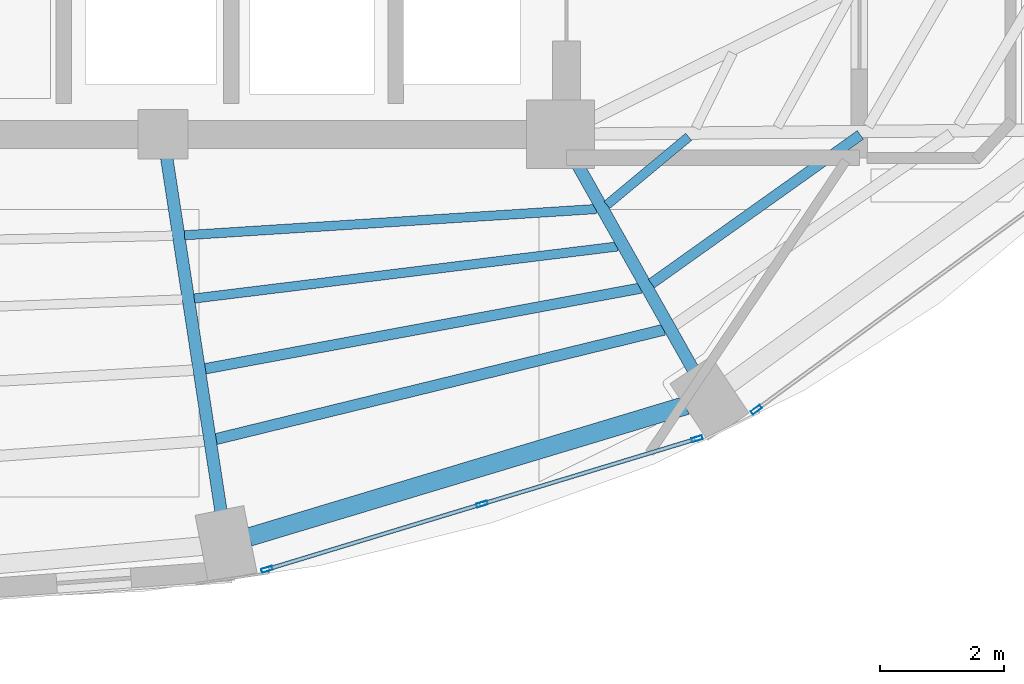
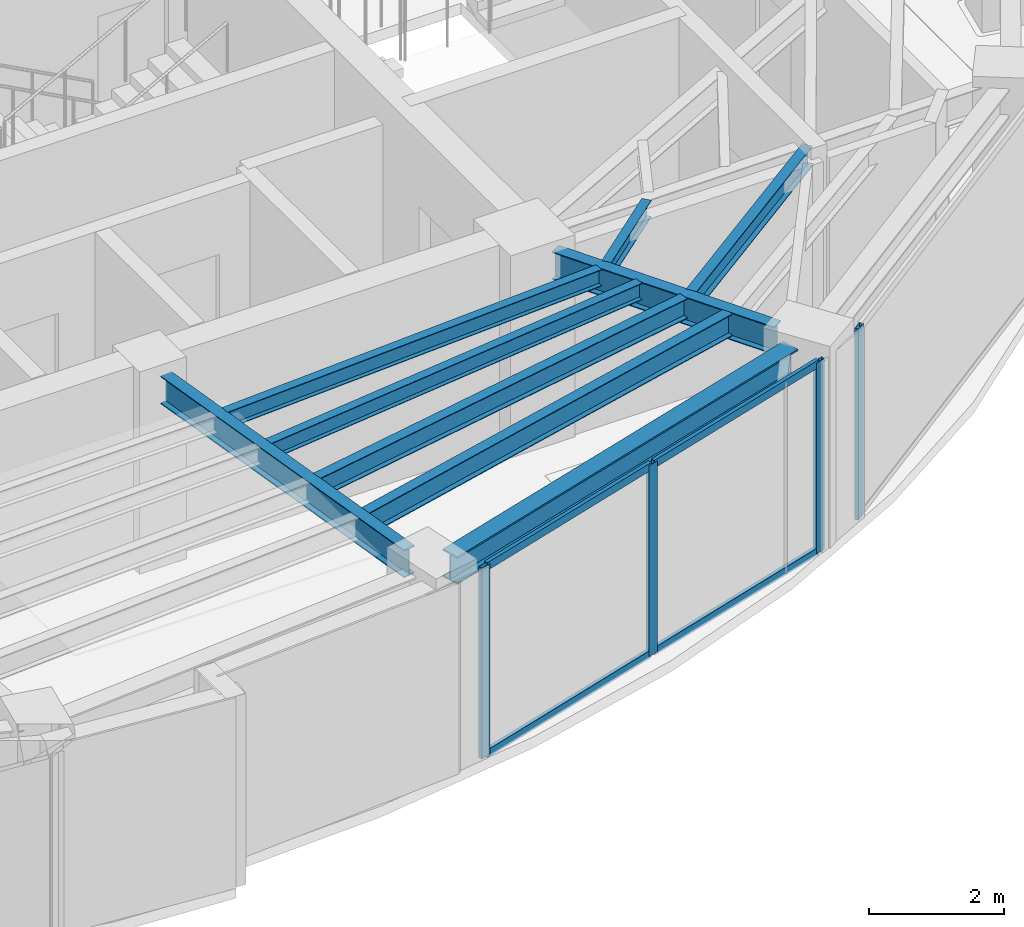
# One storey, part 2 of 12: 9 beams, 8 members, 2 elements without a shape of their own.
"""IFC4 building model written with IfcOpenShell, lengths in metres."""

from ifc_helpers import new_model, si_unit, direction, frame, origin, origin_2d, place, context, subcontext, project, spatial, hollow_rectangle, i_section, extrude, material, layer, layer_set, material_profile, profile_set, type_object, element, aggregate, save


model = new_model("IFC4")

# Units and contexts
model_context = context("Model", 3, precision=1e-05, world=origin(), true_north=direction((0.0, 1.0)))
body_context = subcontext(model_context, "Body", "Model", "MODEL_VIEW")
ifc_project = project(units=[si_unit("LENGTHUNIT", "METRE"), si_unit("AREAUNIT", "SQUARE_METRE"), si_unit("VOLUMEUNIT", "CUBIC_METRE"), si_unit("PLANEANGLEUNIT", "RADIAN"), si_unit("MASSUNIT", "GRAM", prefix="KILO")], contexts=[model_context])

# Site, building, storey
site_placement = place(None, origin())
site = spatial("IfcSite", under=ifc_project, at=site_placement, CompositionType="ELEMENT")
building_placement = place(site_placement, origin())
building = spatial("IfcBuilding", under=site, at=building_placement, Name="Lazwardi Medical Tower", CompositionType="ELEMENT")
storey_placement = place(building_placement, frame((0.0, 0.0, 291.50390625)))
storey = spatial("IfcBuildingStorey", under=building, at=storey_placement, Name="L76", CompositionType="ELEMENT", Elevation=291.50390625)

# Beams
ifc_material_1 = material(Name="Steel S355", Category="steel")
ifc_material_profile_1 = material_profile(ifc_material_1, i_section(OverallWidth=0.300048828125, OverallDepth=0.5, WebThickness=0.014404296875, FlangeThickness=0.028076171875, at=origin_2d()), Name="HEB 500")
ifc_profile_set_1 = profile_set([ifc_material_profile_1], Name="Steel S355")
beam_type_1 = type_object("IfcBeamType", Name="BM-RB-Z4", PredefinedType="BEAM", material=ifc_profile_set_1)
beam_1_placement = place(storey_placement, frame((40.58740234375, 13.9140625, 3.197998046875), z_axis=(0.957544311906, 0.288286126506, 0.0), x_axis=(-0.288286126506, 0.957544311906, 0.0)))
element("IfcBeam", 1, at=beam_1_placement, inside=storey, type_object=beam_type_1, Name="Ring beam RB-05 B01 L76", PredefinedType="BEAM", context=body_context, shape_type="SweptSolid", body=[
    extrude(i_section(OverallWidth=0.300048828125, OverallDepth=0.5, WebThickness=0.014404296875, FlangeThickness=0.028076171875, at=origin_2d()), origin(), (0.0, 0.0, 1.0), 7.3515625),
])
ifc_material_profile_2 = material_profile(ifc_material_1, i_section(OverallWidth=0.199951171875, OverallDepth=0.5, WebThickness=0.01025390625, FlangeThickness=0.01611328125, at=origin_2d()), Name="IPE 500")
ifc_profile_set_2 = profile_set([ifc_material_profile_2], Name="Steel S355")
beam_type_2 = type_object("IfcBeamType", Name="BM-RG-W3", PredefinedType="BEAM", material=ifc_profile_set_2)
beam_2_placement = place(storey_placement, frame((40.1328125, 14.33056640625, 3.197998046875), z_axis=(-0.151894625259, 0.988396693043, 0.0), x_axis=(-0.988396693043, -0.151894625259, 0.0)))
element("IfcBeam", 2, at=beam_2_placement, inside=storey, type_object=beam_type_2, Name="Radial girder RG-04 R01 L76", PredefinedType="BEAM", context=body_context, shape_type="SweptSolid", body=[
    extrude(i_section(OverallWidth=0.199951171875, OverallDepth=0.5, WebThickness=0.01025390625, FlangeThickness=0.01611328125, at=origin_2d()), origin(), (0.0, 0.0, 1.0), 5.755859375),
])
beam_3_placement = place(storey_placement, frame((47.7373046875, 16.61181640625, 3.197998046875), z_axis=(-0.491403349237, 0.870932114667, 0.0), x_axis=(-0.870932114667, -0.491403349237, 0.0)))
element("IfcBeam", 3, at=beam_3_placement, inside=storey, type_object=beam_type_2, Name="Radial girder RG-04 R02 L76", PredefinedType="BEAM", context=body_context, shape_type="SweptSolid", body=[
    extrude(i_section(OverallWidth=0.199951171875, OverallDepth=0.5, WebThickness=0.01025390625, FlangeThickness=0.01611328125, at=origin_2d()), origin(), (0.0, 0.0, 1.0), 3.814697265625),
])
ifc_material_profile_3 = material_profile(ifc_material_1, i_section(OverallWidth=0.179931640625, OverallDepth=0.39990234375, WebThickness=0.008544921875, FlangeThickness=0.013427734375, at=origin_2d()), Name="IPE 400")
ifc_profile_set_3 = profile_set([ifc_material_profile_3], Name="Steel S355")
beam_type_3 = type_object("IfcBeamType", Name="BM-SJ-01", PredefinedType="JOIST", material=ifc_profile_set_3)
beam_4_placement = place(storey_placement, frame((40.050048828125, 15.49072265625, 3.248046875), z_axis=(0.971461103721, 0.237198912219, 0.0), x_axis=(-0.237198912219, 0.971461103721, 0.0)))
element("IfcBeam", 4, at=beam_4_placement, inside=storey, type_object=beam_type_3, Name="Secondary joist SJ-01 R1 B01 L76", PredefinedType="JOIST", context=body_context, shape_type="SweptSolid", body=[
    extrude(i_section(OverallWidth=0.179931640625, OverallDepth=0.39990234375, WebThickness=0.008544921875, FlangeThickness=0.013427734375, at=origin_2d()), origin(), (0.0, 0.0, 1.0), 7.432373046875),
])
ifc_material_profile_4 = material_profile(ifc_material_1, i_section(OverallWidth=0.169921875, OverallDepth=0.360107421875, WebThickness=0.008056640625, FlangeThickness=0.0126953125, at=origin_2d()), Name="IPE 360")
ifc_profile_set_4 = profile_set([ifc_material_profile_4], Name="Steel S355")
beam_type_4 = type_object("IfcBeamType", Name="BM-SJ-02", PredefinedType="JOIST", material=ifc_profile_set_4)
beam_5_placement = place(storey_placement, frame((39.87646484375, 16.623291015625, 3.26806640625), z_axis=(0.983270661344, 0.182150505189, 0.0), x_axis=(-0.182150505189, 0.983270661344, 0.0)))
element("IfcBeam", 5, at=beam_5_placement, inside=storey, type_object=beam_type_4, Name="Secondary joist SJ-02 R2 B01 L76", PredefinedType="JOIST", context=body_context, shape_type="SweptSolid", body=[
    extrude(i_section(OverallWidth=0.169921875, OverallDepth=0.360107421875, WebThickness=0.008056640625, FlangeThickness=0.0126953125, at=origin_2d()), origin(), (0.0, 0.0, 1.0), 7.13720703125),
])
beam_6_placement = place(storey_placement, frame((47.06494140625, 17.995849609375, 3.26806640625), z_axis=(0.814885852348, 0.579621469274, 0.0), x_axis=(-0.579621469274, 0.814885852348, 0.0)))
element("IfcBeam", 6, at=beam_6_placement, inside=storey, type_object=beam_type_4, Name="Secondary joist SJ-02 R2 B02 L76", PredefinedType="JOIST", context=body_context, shape_type="SweptSolid", body=[
    extrude(i_section(OverallWidth=0.169921875, OverallDepth=0.360107421875, WebThickness=0.008056640625, FlangeThickness=0.0126953125, at=origin_2d()), origin(), (0.0, 0.0, 1.0), 4.131103515625),
])
ifc_material_profile_5 = material_profile(ifc_material_1, i_section(OverallWidth=0.14990234375, OverallDepth=0.300048828125, WebThickness=0.007080078125, FlangeThickness=0.0107421875, at=origin_2d()), Name="IPE 300")
ifc_profile_set_5 = profile_set([ifc_material_profile_5], Name="Steel S355")
beam_type_5 = type_object("IfcBeamType", Name="BM-SJ-03", PredefinedType="JOIST", material=ifc_profile_set_5)
beam_7_placement = place(storey_placement, frame((39.702392578125, 17.755615234375, 3.298095703125), z_axis=(0.992528507109, 0.122012960685, 0.0), x_axis=(-0.122012960685, 0.992528507109, 0.0)))
element("IfcBeam", 7, at=beam_7_placement, inside=storey, type_object=beam_type_5, Name="Secondary joist SJ-03 R3 B01 L76", PredefinedType="JOIST", context=body_context, shape_type="SweptSolid", body=[
    extrude(i_section(OverallWidth=0.14990234375, OverallDepth=0.300048828125, WebThickness=0.007080078125, FlangeThickness=0.0107421875, at=origin_2d()), origin(), (0.0, 0.0, 1.0), 6.8671875),
])
beam_8_placement = place(storey_placement, frame((39.545654296875, 18.77392578125, 3.298095703125), z_axis=(0.997972905644, 0.063640235704, 0.0), x_axis=(-0.063640235704, 0.997972905644, 0.0)))
element("IfcBeam", 8, at=beam_8_placement, inside=storey, type_object=beam_type_5, Name="Secondary joist SJ-03 R4 B01 L76", PredefinedType="JOIST", context=body_context, shape_type="SweptSolid", body=[
    extrude(i_section(OverallWidth=0.14990234375, OverallDepth=0.300048828125, WebThickness=0.007080078125, FlangeThickness=0.0107421875, at=origin_2d()), origin(), (0.0, 0.0, 1.0), 6.648193359375),
])
beam_9_placement = place(storey_placement, frame((46.348388671875, 19.263916015625, 3.298095703125), z_axis=(0.768968334056, 0.639286869269, 0.0), x_axis=(-0.639286869269, 0.768968334056, 0.0)))
element("IfcBeam", 9, at=beam_9_placement, inside=storey, type_object=beam_type_5, Name="Secondary joist SJ-03 R4 B02 L76", PredefinedType="JOIST", context=body_context, shape_type="SweptSolid", body=[
    extrude(i_section(OverallWidth=0.14990234375, OverallDepth=0.300048828125, WebThickness=0.007080078125, FlangeThickness=0.0107421875, at=origin_2d()), origin(), (0.0, 0.0, 1.0), 1.713134765625),
])

# Curtain wall, members
ifc_material_2 = material(Name="Anodised bronze aluminium and solar control glazing", Category="aluminium")
ifc_layer = layer(ifc_material_2, 0.18994140625)
ifc_layer_set = layer_set([ifc_layer], Name="Anodised bronze aluminium and solar control glazing")
curtain_wall_type = type_object("IfcCurtainWallType", Name="CW-SYS-04", PredefinedType="NOTDEFINED", material=ifc_layer_set)
curtain_wall_1_placement = place(storey_placement, origin())
curtain_wall_1 = element("IfcCurtainWall", 10, at=curtain_wall_1_placement, inside=storey, type_object=curtain_wall_type, Name="L76 Unitised bronze curtain wall CW-04", PredefinedType="NOTDEFINED")
ifc_material_3 = material(Name="Anodised bronze aluminium", Category="aluminium")
ifc_material_profile_6 = material_profile(ifc_material_3, hollow_rectangle(XDim=0.06494140625, YDim=0.179931640625, WallThickness=0.00390625, at=origin_2d()), Name="ALU-MULLION 180x65x4")
ifc_profile_set_6 = profile_set([ifc_material_profile_6], Name="Anodised bronze aluminium")
member_type_1 = type_object("IfcMemberType", Name="CW-MUL-03", PredefinedType="MULLION", material=ifc_profile_set_6)
member_1_placement = place(storey_placement, frame((40.873046875, 13.392822265625, 0.0), z_axis=(0.0, 0.0, 1.0), x_axis=(-0.290581889515, 0.956850126972, 0.0)))
member_1 = element("IfcMember", 11, at=member_1_placement, type_object=member_type_1, Name="CW-04 mullion 1", PredefinedType="MULLION", context=body_context, shape_type="SweptSolid", body=[
    extrude(hollow_rectangle(XDim=0.06494140625, YDim=0.179931640625, WallThickness=0.00390625, at=origin_2d()), origin(), (0.0, 0.0, 1.0), 3.447998046875),
])
member_2_placement = place(storey_placement, frame((44.33642578125, 14.444580078125, 0.0), z_axis=(0.0, 0.0, 1.0), x_axis=(-0.290581889515, 0.956850126972, 0.0)))
member_2 = element("IfcMember", 12, at=member_2_placement, type_object=member_type_1, Name="CW-04 mullion 2", PredefinedType="MULLION", context=body_context, shape_type="SweptSolid", body=[
    extrude(hollow_rectangle(XDim=0.06494140625, YDim=0.179931640625, WallThickness=0.00390625, at=origin_2d()), origin(), (0.0, 0.0, 1.0), 3.447998046875),
])
member_3_placement = place(storey_placement, frame((47.7998046875, 15.496337890625, 0.0), z_axis=(0.0, 0.0, 1.0), x_axis=(-0.290581889515, 0.956850126972, 0.0)))
member_3 = element("IfcMember", 13, at=member_3_placement, type_object=member_type_1, Name="CW-04 mullion 3", PredefinedType="MULLION", context=body_context, shape_type="SweptSolid", body=[
    extrude(hollow_rectangle(XDim=0.06494140625, YDim=0.179931640625, WallThickness=0.00390625, at=origin_2d()), origin(), (0.0, 0.0, 1.0), 3.447998046875),
])

# Curtain wall, member
curtain_wall_2_placement = place(storey_placement, origin())
curtain_wall_2 = element("IfcCurtainWall", 14, at=curtain_wall_2_placement, inside=storey, type_object=curtain_wall_type, Name="L76 Unitised bronze curtain wall CW-04", PredefinedType="NOTDEFINED")
member_4_placement = place(storey_placement, frame((48.75537109375, 15.965087890625, 0.0), z_axis=(0.0, 0.0, 1.0), x_axis=(-0.591268230971, 0.806474971121, 0.0)))
member_4 = element("IfcMember", 15, at=member_4_placement, type_object=member_type_1, Name="CW-04 mullion 1", PredefinedType="MULLION", context=body_context, shape_type="SweptSolid", body=[
    extrude(hollow_rectangle(XDim=0.06494140625, YDim=0.179931640625, WallThickness=0.00390625, at=origin_2d()), origin(), (0.0, 0.0, 1.0), 3.447998046875),
])
aggregate(curtain_wall_2, [member_4])

# Member
ifc_material_profile_7 = material_profile(ifc_material_3, hollow_rectangle(XDim=0.06494140625, YDim=0.139892578125, WallThickness=0.00341796875, at=origin_2d()), Name="ALU-TRANSOM 140x65x3.5")
ifc_profile_set_7 = profile_set([ifc_material_profile_7], Name="Anodised bronze aluminium")
member_type_2 = type_object("IfcMemberType", Name="CW-TRN-03", PredefinedType="USERDEFINED", material=ifc_profile_set_7)
member_5_placement = place(storey_placement, frame((40.904296875, 13.40234375, 0.03271484375), z_axis=(0.956843409009, 0.290604010015, 0.0), x_axis=(-0.290604010015, 0.956843409009, 0.0)))
member_5 = element("IfcMember", 16, at=member_5_placement, type_object=member_type_2, Name="CW-04 transom 1.1", ObjectType="TRANSOM", PredefinedType="USERDEFINED", context=body_context, shape_type="SweptSolid", body=[
    extrude(hollow_rectangle(XDim=0.06494140625, YDim=0.139892578125, WallThickness=0.00341796875, at=origin_2d()), origin(), (0.0, 0.0, 1.0), 3.554443359375),
])

member_6_placement = place(storey_placement, frame((40.904296875, 13.40234375, 3.41552734375), z_axis=(0.956843409009, 0.290604010015, 0.0), x_axis=(-0.290604010015, 0.956843409009, 0.0)))
member_6 = element("IfcMember", 17, at=member_6_placement, type_object=member_type_2, Name="CW-04 transom 1.2", ObjectType="TRANSOM", PredefinedType="USERDEFINED", context=body_context, shape_type="SweptSolid", body=[
    extrude(hollow_rectangle(XDim=0.06494140625, YDim=0.139892578125, WallThickness=0.00341796875, at=origin_2d()), origin(), (0.0, 0.0, 1.0), 3.554443359375),
])

member_7_placement = place(storey_placement, frame((44.367431640625, 14.4541015625, 0.03271484375), z_axis=(0.956843409009, 0.290604010015, 0.0), x_axis=(-0.290604010015, 0.956843409009, 0.0)))
member_7 = element("IfcMember", 18, at=member_7_placement, type_object=member_type_2, Name="CW-04 transom 2.1", ObjectType="TRANSOM", PredefinedType="USERDEFINED", context=body_context, shape_type="SweptSolid", body=[
    extrude(hollow_rectangle(XDim=0.06494140625, YDim=0.139892578125, WallThickness=0.00341796875, at=origin_2d()), origin(), (0.0, 0.0, 1.0), 3.554443359375),
])

member_8_placement = place(storey_placement, frame((44.367431640625, 14.4541015625, 3.41552734375), z_axis=(0.956843409009, 0.290604010015, 0.0), x_axis=(-0.290604010015, 0.956843409009, 0.0)))
member_8 = element("IfcMember", 19, at=member_8_placement, type_object=member_type_2, Name="CW-04 transom 2.2", ObjectType="TRANSOM", PredefinedType="USERDEFINED", context=body_context, shape_type="SweptSolid", body=[
    extrude(hollow_rectangle(XDim=0.06494140625, YDim=0.139892578125, WallThickness=0.00341796875, at=origin_2d()), origin(), (0.0, 0.0, 1.0), 3.554443359375),
])

aggregate(curtain_wall_1, [member_1, member_2, member_3, member_5, member_6, member_7, member_8])

save(model, "model.ifc")
